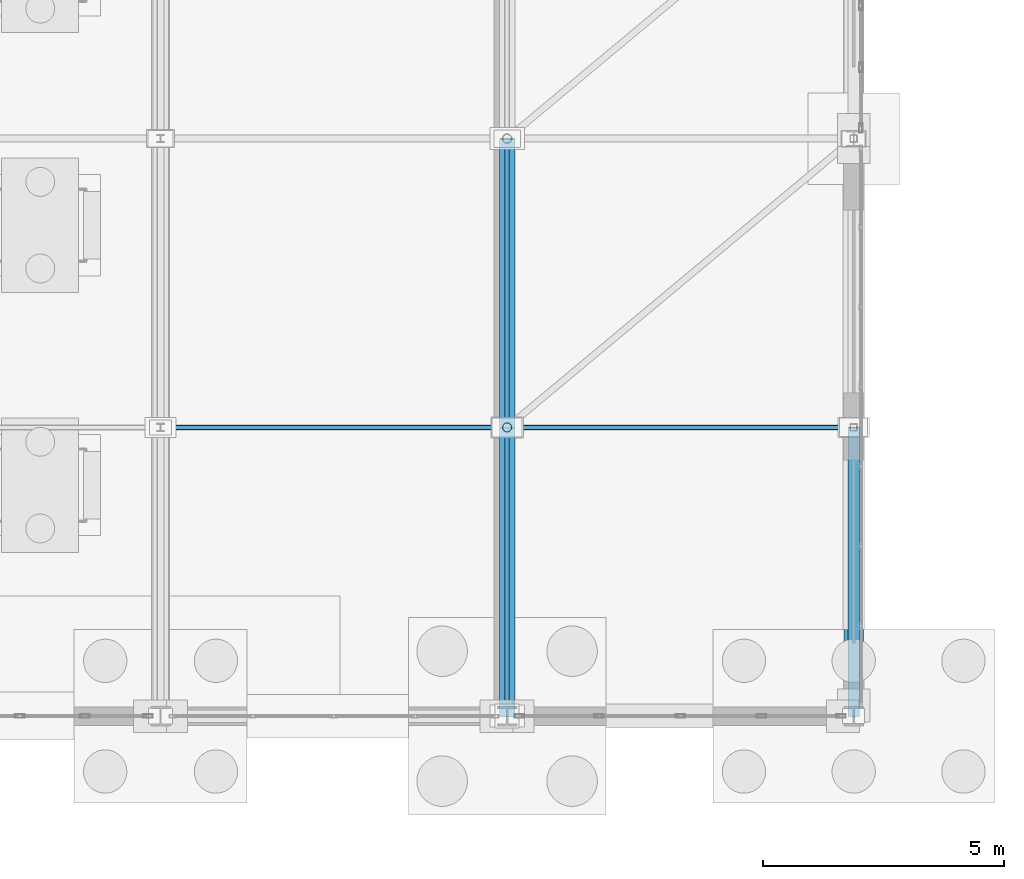
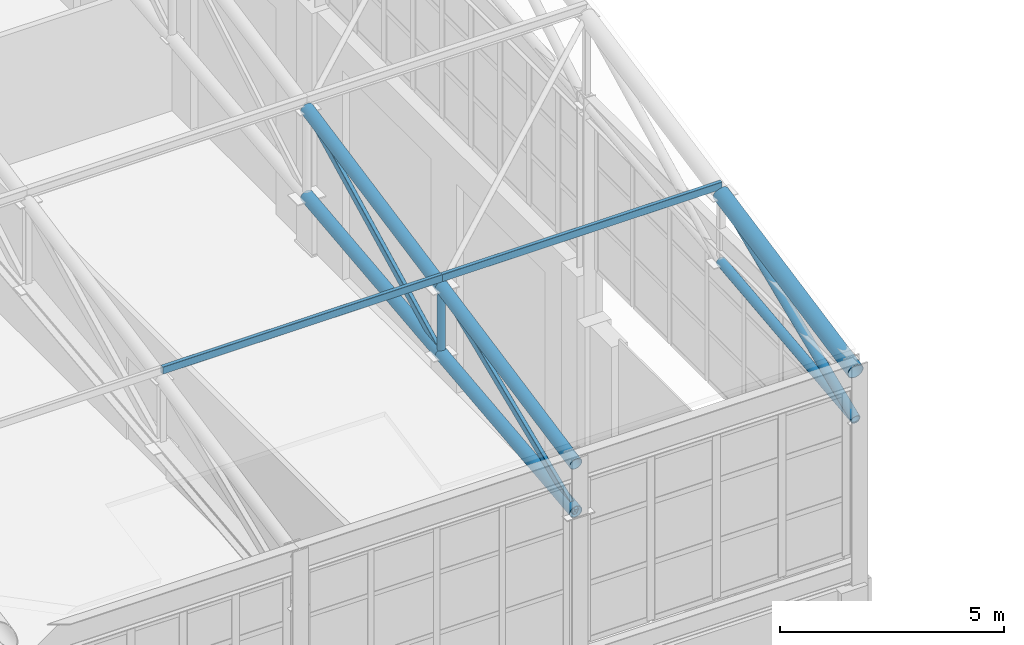
# One storey, part 177 of 293: 12 members.
"""IFC4 building model written with IfcOpenShell, lengths in metres."""

from ifc_helpers import new_model, si_unit, direction, frame, origin, origin_2d, place, context, subcontext, project, spatial, hollow_rectangle, hollow_circle, extrude, material, material_profile, profile_set, type_object, element, save


model = new_model("IFC4")

# Units and contexts
model_context = context("Model", 3, precision=1e-05, world=origin(), true_north=direction((0.0, 1.0)))
body_context = subcontext(model_context, "Body", "Model", "MODEL_VIEW")
ifc_project = project(units=[si_unit("LENGTHUNIT", "METRE"), si_unit("AREAUNIT", "SQUARE_METRE"), si_unit("VOLUMEUNIT", "CUBIC_METRE"), si_unit("PLANEANGLEUNIT", "RADIAN"), si_unit("MASSUNIT", "GRAM", prefix="KILO")], contexts=[model_context])

# Site, building, storey
site_placement = place(None, origin())
site = spatial("IfcSite", under=ifc_project, at=site_placement, CompositionType="ELEMENT")
building_placement = place(site_placement, origin())
building = spatial("IfcBuilding", under=site, at=building_placement, Name="Kemerveld Promenade Tramway Depot", CompositionType="ELEMENT")
storey_placement = place(building_placement, origin())
storey = spatial("IfcBuildingStorey", under=building, at=storey_placement, Name="L00", CompositionType="ELEMENT", Elevation=0.0)

# Members
ifc_material = material(Name="Steel S355", Category="steel")
ifc_material_profile_1 = material_profile(ifc_material, hollow_rectangle(XDim=0.10009765625, YDim=0.199951171875, WallThickness=0.008056640625, InnerFilletRadius=0.00390625, OuterFilletRadius=0.011962890625, at=origin_2d()), Name="200x100x8.0 RHS")
ifc_profile_set_1 = profile_set([ifc_material_profile_1], Name="Steel S355")
member_type_1 = type_object("IfcMemberType", Name="MB-M03", PredefinedType="BRACE", material=ifc_profile_set_1)
member_1_placement = place(storey_placement, frame((180.0, 84.0, 9.800048828125), z_axis=(0.0, 0.923076923077, 0.384615384615), x_axis=(-1.0, 0.0, 0.0)))
element("IfcMember", 1, at=member_1_placement, inside=storey, type_object=member_type_1, Name="TR-26-DG-01", PredefinedType="BRACE", context=body_context, shape_type="SweptSolid", body=[
    extrude(hollow_rectangle(XDim=0.10009765625, YDim=0.199951171875, WallThickness=0.008056640625, InnerFilletRadius=0.00390625, OuterFilletRadius=0.011962890625, at=origin_2d()), origin(), (0.0, 0.0, 1.0), 6.5),
])
member_2_placement = place(storey_placement, frame((180.0, 90.0, 10.4599609375), z_axis=(0.0, 0.892033434612, 0.451969414379), x_axis=(-1.0, 0.0, 0.0)))
element("IfcMember", 2, at=member_2_placement, inside=storey, type_object=member_type_1, Name="TR-26-DG-02", PredefinedType="BRACE", context=body_context, shape_type="SweptSolid", body=[
    extrude(hollow_rectangle(XDim=0.10009765625, YDim=0.199951171875, WallThickness=0.008056640625, InnerFilletRadius=0.00390625, OuterFilletRadius=0.011962890625, at=origin_2d()), origin(), (0.0, 0.0, 1.0), 6.726318359375),
])
ifc_material_profile_2 = material_profile(ifc_material, hollow_rectangle(XDim=0.10009765625, YDim=0.199951171875, WallThickness=0.008056640625, InnerFilletRadius=0.00390625, OuterFilletRadius=0.011962890625, at=origin_2d()), Name="200x100x8.0 RHS")
ifc_profile_set_2 = profile_set([ifc_material_profile_2], Name="Steel S355")
member_type_2 = type_object("IfcMemberType", Name="MB-PR2", PredefinedType="PURLIN", material=ifc_profile_set_2)
for number, where, z_axis, x_axis, name in (
    (3, (172.800048828125, 90.0, 12.544921875), (1.0, 0.0, 0.0), (0.0, 1.0, 0.0), "PUR-V1-01-25"),
    (4, (180.0, 90.0, 12.544921875), (1.0, 0.0, 0.0), (0.0, 1.0, 0.0), "PUR-V1-01-26"),
):
    element("IfcMember", number, at=place(storey_placement, frame(where, z_axis=z_axis, x_axis=x_axis)), inside=storey, type_object=member_type_2, Name=name, PredefinedType="PURLIN", context=body_context, shape_type="SweptSolid", body=[
        extrude(hollow_rectangle(XDim=0.10009765625, YDim=0.199951171875, WallThickness=0.008056640625, InnerFilletRadius=0.00390625, OuterFilletRadius=0.011962890625, at=origin_2d()), origin(), (0.0, 0.0, 1.0), 7.199951171875),
    ])
ifc_material_profile_3 = material_profile(ifc_material, hollow_circle(Radius=0.122314453125, WallThickness=0.010009765625, at=origin_2d()), Name="244.5x10.0 CHS")
ifc_profile_set_3 = profile_set([ifc_material_profile_3], Name="Steel S355")
member_type_3 = type_object("IfcMemberType", Name="MB-TB1", PredefinedType="BRACE", material=ifc_profile_set_3)
member_3_placement = place(storey_placement, frame((187.199951171875, 84.0, 9.800048828125), z_axis=(0.0, 0.923076923077, 0.384615384615), x_axis=(-1.0, 0.0, 0.0)))
element("IfcMember", 5, at=member_3_placement, inside=storey, type_object=member_type_3, Name="TR-27-DG-01", PredefinedType="BRACE", context=body_context, shape_type="SweptSolid", body=[
    extrude(hollow_circle(Radius=0.122314453125, WallThickness=0.010009765625, at=origin_2d()), origin(), (0.0, 0.0, 1.0), 6.5),
])
ifc_material_profile_4 = material_profile(ifc_material, hollow_circle(Radius=0.203125, WallThickness=0.01611328125, at=origin_2d()), Name="406.4x16.0 CHS")
ifc_profile_set_4 = profile_set([ifc_material_profile_4], Name="Steel S355")
member_type_4 = type_object("IfcMemberType", Name="MB-TC1", PredefinedType="CHORD", material=ifc_profile_set_4)
member_4_placement = place(storey_placement, frame((187.199951171875, 84.0, 11.10009765625), z_axis=(0.0, 0.980582210276, 0.196108462057), x_axis=(-1.0, 0.0, 0.0)))
element("IfcMember", 6, at=member_4_placement, inside=storey, type_object=member_type_4, Name="TR-27-TC-01", PredefinedType="CHORD", context=body_context, shape_type="SweptSolid", body=[
    extrude(hollow_circle(Radius=0.203125, WallThickness=0.01611328125, at=origin_2d()), origin(), (0.0, 0.0, 1.0), 6.118896484375),
])
ifc_material_profile_5 = material_profile(ifc_material, hollow_circle(Radius=0.161865234375, WallThickness=0.012451171875, at=origin_2d()), Name="323.9x12.5 CHS")
ifc_profile_set_5 = profile_set([ifc_material_profile_5], Name="Steel S355")
member_type_5 = type_object("IfcMemberType", Name="MB-TC2", PredefinedType="CHORD", material=ifc_profile_set_5)
member_5_placement = place(storey_placement, frame((180.0, 84.0, 11.10009765625), z_axis=(0.0, 0.980582210276, 0.196108462057), x_axis=(-1.0, 0.0, 0.0)))
element("IfcMember", 7, at=member_5_placement, inside=storey, type_object=member_type_5, Name="TR-26-TC-01", PredefinedType="CHORD", context=body_context, shape_type="SweptSolid", body=[
    extrude(hollow_circle(Radius=0.161865234375, WallThickness=0.012451171875, at=origin_2d()), origin(), (0.0, 0.0, 1.0), 6.118896484375),
])
member_6_placement = place(storey_placement, frame((180.0, 84.0, 9.800048828125), z_axis=(0.0, 0.994005938353, 0.109326092585), x_axis=(-1.0, 0.0, 0.0)))
element("IfcMember", 8, at=member_6_placement, inside=storey, type_object=member_type_5, Name="TR-26-BC-01", PredefinedType="CHORD", context=body_context, shape_type="SweptSolid", body=[
    extrude(hollow_circle(Radius=0.161865234375, WallThickness=0.012451171875, at=origin_2d()), origin(), (0.0, 0.0, 1.0), 6.0361328125),
])
member_7_placement = place(storey_placement, frame((180.0, 90.0, 12.300048828125), z_axis=(0.0, 0.980582210276, 0.196108462057), x_axis=(-1.0, 0.0, 0.0)))
element("IfcMember", 9, at=member_7_placement, inside=storey, type_object=member_type_5, Name="TR-26-TC-02", PredefinedType="CHORD", context=body_context, shape_type="SweptSolid", body=[
    extrude(hollow_circle(Radius=0.161865234375, WallThickness=0.012451171875, at=origin_2d()), origin(), (0.0, 0.0, 1.0), 6.118896484375),
])
member_8_placement = place(storey_placement, frame((180.0, 90.0, 10.4599609375), z_axis=(0.0, 0.994001542248, 0.109366055104), x_axis=(-1.0, 0.0, 0.0)))
element("IfcMember", 10, at=member_8_placement, inside=storey, type_object=member_type_5, Name="TR-26-BC-02", PredefinedType="CHORD", context=body_context, shape_type="SweptSolid", body=[
    extrude(hollow_circle(Radius=0.161865234375, WallThickness=0.012451171875, at=origin_2d()), origin(), (0.0, 0.0, 1.0), 6.0361328125),
])
ifc_material_profile_6 = material_profile(ifc_material, hollow_circle(Radius=0.122314453125, WallThickness=0.010009765625, at=origin_2d()), Name="244.5x10.0 CHS")
ifc_profile_set_6 = profile_set([ifc_material_profile_6], Name="Steel S355")
member_type_6 = type_object("IfcMemberType", Name="MB-TC3", PredefinedType="CHORD", material=ifc_profile_set_6)
member_9_placement = place(storey_placement, frame((187.199951171875, 84.0, 9.800048828125), z_axis=(0.0, 0.994005938353, 0.109326092585), x_axis=(-1.0, 0.0, 0.0)))
element("IfcMember", 11, at=member_9_placement, inside=storey, type_object=member_type_6, Name="TR-27-BC-01", PredefinedType="CHORD", context=body_context, shape_type="SweptSolid", body=[
    extrude(hollow_circle(Radius=0.122314453125, WallThickness=0.010009765625, at=origin_2d()), origin(), (0.0, 0.0, 1.0), 6.0361328125),
])
ifc_material_profile_7 = material_profile(ifc_material, hollow_circle(Radius=0.096923828125, WallThickness=0.008056640625, at=origin_2d()), Name="193.7x8.0 CHS")
ifc_profile_set_7 = profile_set([ifc_material_profile_7], Name="Steel S355")
member_type_7 = type_object("IfcMemberType", Name="MB-TP1", PredefinedType="POST", material=ifc_profile_set_7)
member_10_placement = place(storey_placement, frame((180.0, 90.0, 10.4599609375), z_axis=(0.0, 0.0, 1.0), x_axis=(1.0, 0.0, 0.0)))
element("IfcMember", 12, at=member_10_placement, inside=storey, type_object=member_type_7, Name="TR-26-VT-01", PredefinedType="POST", context=body_context, shape_type="SweptSolid", body=[
    extrude(hollow_circle(Radius=0.096923828125, WallThickness=0.008056640625, at=origin_2d()), origin(), (0.0, 0.0, 1.0), 1.840087890625),
])

save(model, "model.ifc")
